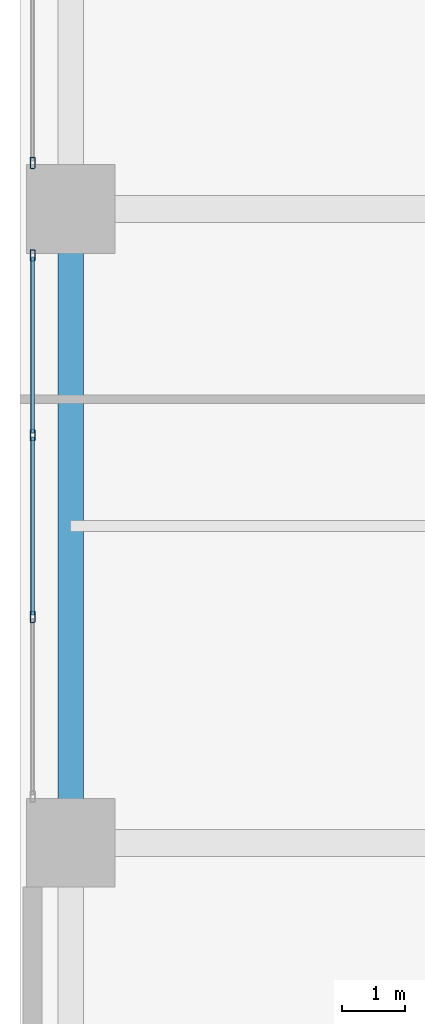
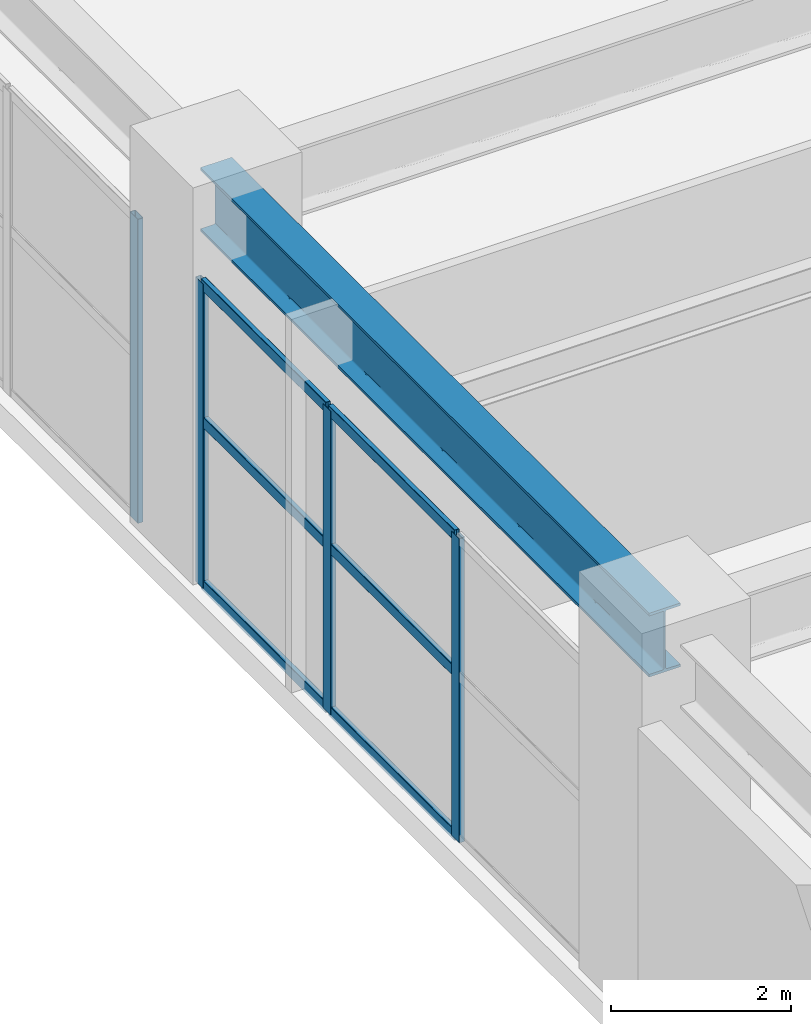
# One storey, part 7 of 28: 10 members, 1 beam, 2 elements without a shape of their own.
"""IFC4 building model written with IfcOpenShell, lengths in metres."""

from ifc_helpers import new_model, si_unit, direction, frame, origin, origin_2d, place, context, subcontext, project, spatial, hollow_rectangle, i_section, extrude, material, layer, layer_set, material_profile, profile_set, type_object, element, aggregate, save


model = new_model("IFC4")

# Units and contexts
model_context = context("Model", 3, precision=1e-05, world=origin(), true_north=direction((0.0, 1.0)))
body_context = subcontext(model_context, "Body", "Model", "MODEL_VIEW")
ifc_project = project(units=[si_unit("LENGTHUNIT", "METRE"), si_unit("AREAUNIT", "SQUARE_METRE"), si_unit("VOLUMEUNIT", "CUBIC_METRE"), si_unit("PLANEANGLEUNIT", "RADIAN"), si_unit("MASSUNIT", "GRAM", prefix="KILO")], contexts=[model_context])

# Site, building, storey
site_placement = place(None, origin())
site = spatial("IfcSite", under=ifc_project, at=site_placement, CompositionType="ELEMENT")
building_placement = place(site_placement, origin())
building = spatial("IfcBuilding", under=site, at=building_placement, Name="Soratama Intermodal Tower", CompositionType="ELEMENT")
storey_placement = place(building_placement, frame((0.0, 0.0, 6.0)))
storey = spatial("IfcBuildingStorey", under=building, at=storey_placement, Name="L01", CompositionType="ELEMENT", Elevation=6.0)

# Beam
ifc_material_1 = material(Name="Structural steel ASTM A992 Grade 50", Category="steel")
ifc_material_profile_1 = material_profile(ifc_material_1, i_section(OverallWidth=0.403076171875, OverallDepth=0.867919921875, WebThickness=0.02099609375, FlangeThickness=0.03564453125, FilletRadius=0.01806640625, at=origin_2d()), Name="W33X241")
ifc_profile_set_1 = profile_set([ifc_material_profile_1], Name="Structural steel ASTM A992 Grade 50")
beam_type = type_object("IfcBeamType", Name="BM-POD-EXT-W33", PredefinedType="BEAM", material=ifc_profile_set_1)
beam_placement = place(storey_placement, frame((0.800048828125, 15.0, 4.64599609375), z_axis=(0.0, 1.0, 0.0), x_axis=(-1.0, 0.0, 0.0)))
element("IfcBeam", 1, at=beam_placement, inside=storey, type_object=beam_type, Name="L01 Station Girder Y1-2", PredefinedType="BEAM", context=body_context, shape_type="SweptSolid", body=[
    extrude(i_section(OverallWidth=0.403076171875, OverallDepth=0.867919921875, WebThickness=0.02099609375, FlangeThickness=0.03564453125, FilletRadius=0.01806640625, at=origin_2d()), origin(), (0.0, 0.0, 1.0), 10.0),
])

# Curtain wall, members
ifc_material_2 = material(Name="Double-glazed aluminium curtain wall", Category="aluminium")
ifc_layer = layer(ifc_material_2, 0.159912109375)
ifc_layer_set = layer_set([ifc_layer], Name="Double-glazed aluminium curtain wall")
curtain_wall_type = type_object("IfcCurtainWallType", Name="CW-SYS-1", PredefinedType="NOTDEFINED", material=ifc_layer_set)
curtain_wall_1_placement = place(storey_placement, origin())
curtain_wall_1 = element("IfcCurtainWall", 2, at=curtain_wall_1_placement, inside=storey, type_object=curtain_wall_type, Name="L01 Station Curtain Wall W1", PredefinedType="NOTDEFINED")
ifc_material_3 = material(Name="Anodised aluminium AA 6063-T6", Category="aluminium")
ifc_material_profile_2 = material_profile(ifc_material_3, hollow_rectangle(XDim=0.074951171875, YDim=0.179931640625, WallThickness=0.006103515625, InnerFilletRadius=0.006103515625, OuterFilletRadius=0.011962890625, at=origin_2d()), Name="CWM180X75X6")
ifc_profile_set_2 = profile_set([ifc_material_profile_2], Name="Anodised aluminium AA 6063-T6")
member_type_1 = type_object("IfcMemberType", Name="MT-CWM-1", PredefinedType="MULLION", material=ifc_profile_set_2)
member_1_placement = place(storey_placement, frame((0.199951171875, 18.566650390625, 0.0), z_axis=(0.0, 0.0, 1.0), x_axis=(-1.0, 0.0, 0.0)))
member_1 = element("IfcMember", 3, at=member_1_placement, type_object=member_type_1, Name="CW-1 mullion 2", PredefinedType="MULLION", context=body_context, shape_type="SweptSolid", body=[
    extrude(hollow_rectangle(XDim=0.074951171875, YDim=0.179931640625, WallThickness=0.006103515625, InnerFilletRadius=0.006103515625, OuterFilletRadius=0.011962890625, at=origin_2d()), origin(), (0.0, 0.0, 1.0), 4.135986328125),
])
member_2_placement = place(storey_placement, frame((0.199951171875, 21.433349609375, 0.0), z_axis=(0.0, 0.0, 1.0), x_axis=(-1.0, 0.0, 0.0)))
member_2 = element("IfcMember", 4, at=member_2_placement, type_object=member_type_1, Name="CW-1 mullion 3", PredefinedType="MULLION", context=body_context, shape_type="SweptSolid", body=[
    extrude(hollow_rectangle(XDim=0.074951171875, YDim=0.179931640625, WallThickness=0.006103515625, InnerFilletRadius=0.006103515625, OuterFilletRadius=0.011962890625, at=origin_2d()), origin(), (0.0, 0.0, 1.0), 4.135986328125),
])
member_3_placement = place(storey_placement, frame((0.199951171875, 24.27001953125, 0.0), z_axis=(0.0, 0.0, 1.0), x_axis=(-1.0, 0.0, 0.0)))
member_3 = element("IfcMember", 5, at=member_3_placement, type_object=member_type_1, Name="CW-1 mullion 4", PredefinedType="MULLION", context=body_context, shape_type="SweptSolid", body=[
    extrude(hollow_rectangle(XDim=0.074951171875, YDim=0.179931640625, WallThickness=0.006103515625, InnerFilletRadius=0.006103515625, OuterFilletRadius=0.011962890625, at=origin_2d()), origin(), (0.0, 0.0, 1.0), 4.135986328125),
])

# Curtain wall, member
curtain_wall_2_placement = place(storey_placement, origin())
curtain_wall_2 = element("IfcCurtainWall", 6, at=curtain_wall_2_placement, inside=storey, type_object=curtain_wall_type, Name="L01 Station Curtain Wall W2", PredefinedType="NOTDEFINED")
member_4_placement = place(storey_placement, frame((0.199951171875, 25.72998046875, 0.0), z_axis=(0.0, 0.0, 1.0), x_axis=(-1.0, 0.0, 0.0)))
member_4 = element("IfcMember", 7, at=member_4_placement, type_object=member_type_1, Name="CW-1 mullion 1", PredefinedType="MULLION", context=body_context, shape_type="SweptSolid", body=[
    extrude(hollow_rectangle(XDim=0.074951171875, YDim=0.179931640625, WallThickness=0.006103515625, InnerFilletRadius=0.006103515625, OuterFilletRadius=0.011962890625, at=origin_2d()), origin(), (0.0, 0.0, 1.0), 4.135986328125),
])
aggregate(curtain_wall_2, [member_4])

# Member
ifc_material_4 = material(Name="Anodised aluminium AA 6063-T6", Category="aluminium")
ifc_material_profile_3 = material_profile(ifc_material_4, hollow_rectangle(XDim=0.06494140625, YDim=0.14990234375, WallThickness=0.0048828125, InnerFilletRadius=0.0048828125, OuterFilletRadius=0.010009765625, at=origin_2d()), Name="CWT150X65X5")
ifc_profile_set_3 = profile_set([ifc_material_profile_3], Name="Anodised aluminium AA 6063-T6")
member_type_2 = type_object("IfcMemberType", Name="TT-CWT-1", PredefinedType="USERDEFINED", material=ifc_profile_set_3)
member_5_placement = place(storey_placement, frame((0.199951171875, 18.5966796875, 0.030029296875), z_axis=(0.0, 1.0, 0.0), x_axis=(-1.0, 0.0, 0.0)))
member_5 = element("IfcMember", 8, at=member_5_placement, type_object=member_type_2, Name="CW-1 transom 2.1", ObjectType="TRANSOM", PredefinedType="USERDEFINED", context=body_context, shape_type="SweptSolid", body=[
    extrude(hollow_rectangle(XDim=0.06494140625, YDim=0.14990234375, WallThickness=0.0048828125, InnerFilletRadius=0.0048828125, OuterFilletRadius=0.010009765625, at=origin_2d()), origin(), (0.0, 0.0, 1.0), 2.806640625),
])

member_6_placement = place(storey_placement, frame((0.199951171875, 18.5966796875, 2.25), z_axis=(0.0, 1.0, 0.0), x_axis=(-1.0, 0.0, 0.0)))
member_6 = element("IfcMember", 9, at=member_6_placement, type_object=member_type_2, Name="CW-1 transom 2.2", ObjectType="TRANSOM", PredefinedType="USERDEFINED", context=body_context, shape_type="SweptSolid", body=[
    extrude(hollow_rectangle(XDim=0.06494140625, YDim=0.14990234375, WallThickness=0.0048828125, InnerFilletRadius=0.0048828125, OuterFilletRadius=0.010009765625, at=origin_2d()), origin(), (0.0, 0.0, 1.0), 2.806640625),
])

member_7_placement = place(storey_placement, frame((0.199951171875, 18.5966796875, 4.10595703125), z_axis=(0.0, 1.0, 0.0), x_axis=(-1.0, 0.0, 0.0)))
member_7 = element("IfcMember", 10, at=member_7_placement, type_object=member_type_2, Name="CW-1 transom 2.3", ObjectType="TRANSOM", PredefinedType="USERDEFINED", context=body_context, shape_type="SweptSolid", body=[
    extrude(hollow_rectangle(XDim=0.06494140625, YDim=0.14990234375, WallThickness=0.0048828125, InnerFilletRadius=0.0048828125, OuterFilletRadius=0.010009765625, at=origin_2d()), origin(), (0.0, 0.0, 1.0), 2.806640625),
])

member_8_placement = place(storey_placement, frame((0.199951171875, 21.46337890625, 0.030029296875), z_axis=(0.0, 1.0, 0.0), x_axis=(-1.0, 0.0, 0.0)))
member_8 = element("IfcMember", 11, at=member_8_placement, type_object=member_type_2, Name="CW-1 transom 3.1", ObjectType="TRANSOM", PredefinedType="USERDEFINED", context=body_context, shape_type="SweptSolid", body=[
    extrude(hollow_rectangle(XDim=0.06494140625, YDim=0.14990234375, WallThickness=0.0048828125, InnerFilletRadius=0.0048828125, OuterFilletRadius=0.010009765625, at=origin_2d()), origin(), (0.0, 0.0, 1.0), 2.776611328125),
])

member_9_placement = place(storey_placement, frame((0.199951171875, 21.46337890625, 2.25), z_axis=(0.0, 1.0, 0.0), x_axis=(-1.0, 0.0, 0.0)))
member_9 = element("IfcMember", 12, at=member_9_placement, type_object=member_type_2, Name="CW-1 transom 3.2", ObjectType="TRANSOM", PredefinedType="USERDEFINED", context=body_context, shape_type="SweptSolid", body=[
    extrude(hollow_rectangle(XDim=0.06494140625, YDim=0.14990234375, WallThickness=0.0048828125, InnerFilletRadius=0.0048828125, OuterFilletRadius=0.010009765625, at=origin_2d()), origin(), (0.0, 0.0, 1.0), 2.776611328125),
])

member_10_placement = place(storey_placement, frame((0.199951171875, 21.46337890625, 4.10595703125), z_axis=(0.0, 1.0, 0.0), x_axis=(-1.0, 0.0, 0.0)))
member_10 = element("IfcMember", 13, at=member_10_placement, type_object=member_type_2, Name="CW-1 transom 3.3", ObjectType="TRANSOM", PredefinedType="USERDEFINED", context=body_context, shape_type="SweptSolid", body=[
    extrude(hollow_rectangle(XDim=0.06494140625, YDim=0.14990234375, WallThickness=0.0048828125, InnerFilletRadius=0.0048828125, OuterFilletRadius=0.010009765625, at=origin_2d()), origin(), (0.0, 0.0, 1.0), 2.776611328125),
])

aggregate(curtain_wall_1, [member_1, member_2, member_3, member_5, member_6, member_7, member_8, member_9, member_10])

save(model, "model.ifc")
